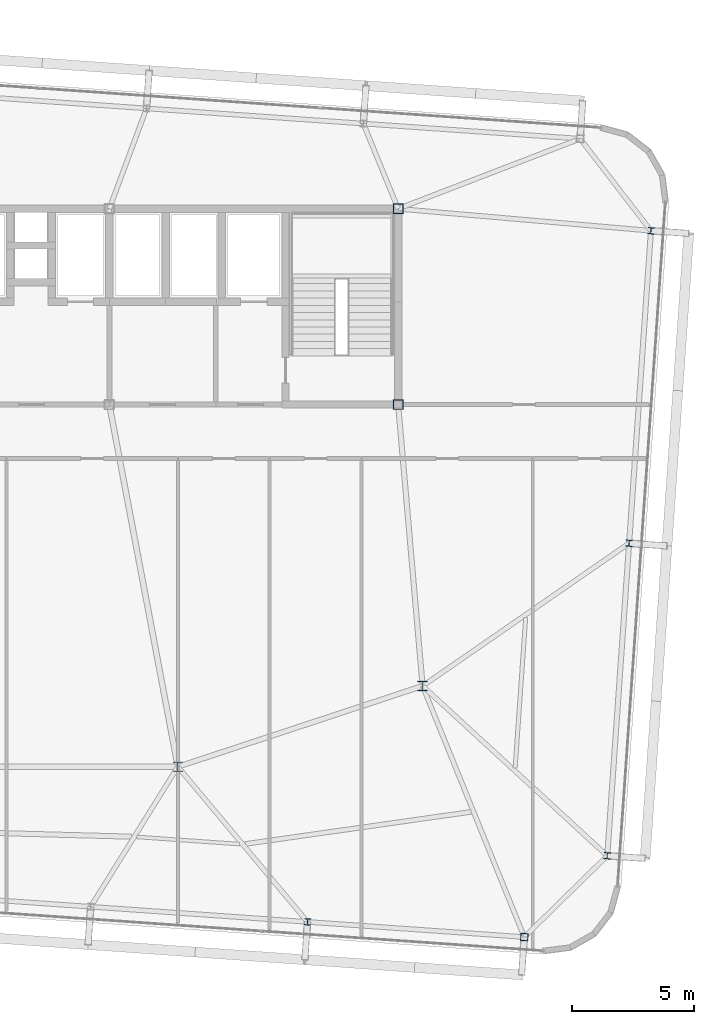
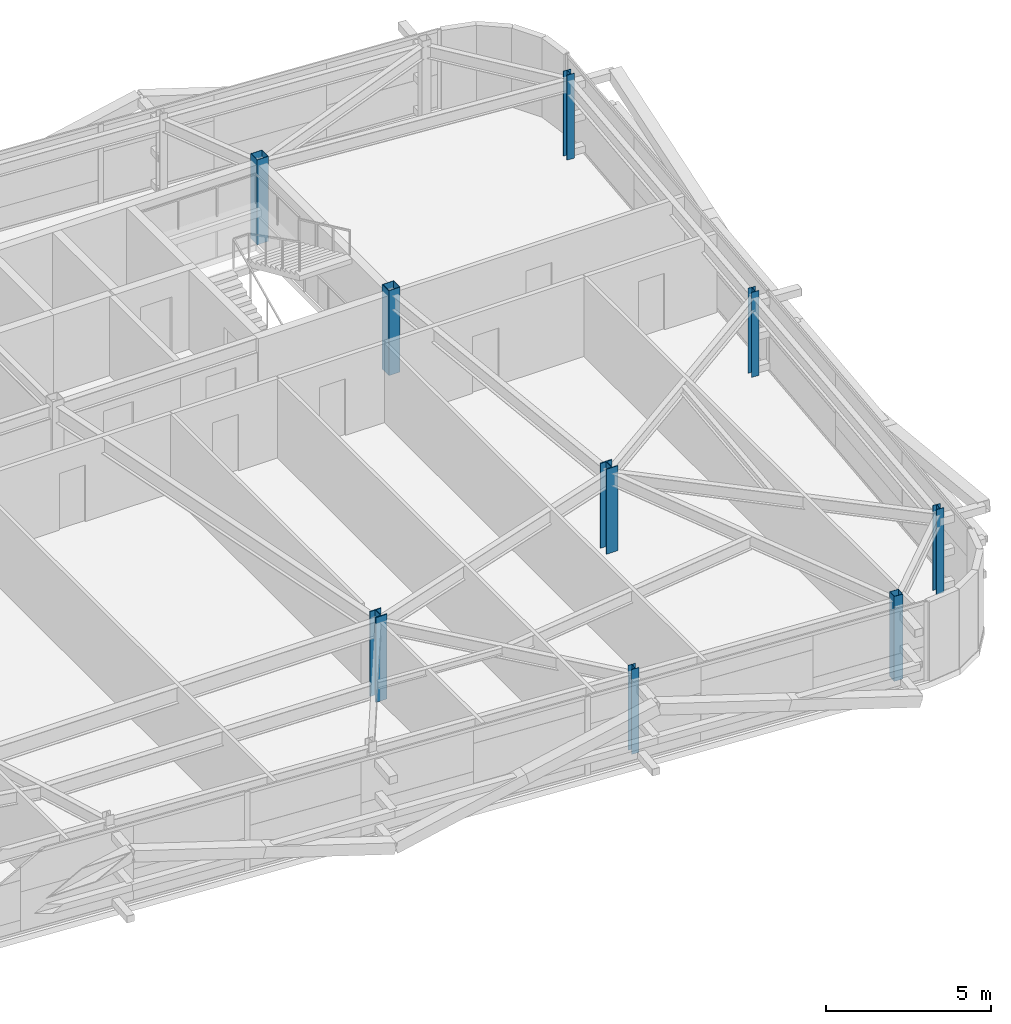
# One storey, part 3 of 39: 9 columns.
"""IFC4 building model written with IfcOpenShell, lengths in metres."""

from ifc_helpers import new_model, si_unit, direction, frame, origin, origin_2d, place, context, subcontext, project, spatial, hollow_rectangle, i_section, extrude, source, transform, mapped, material, material_profile, profile_set, type_object, element, save


model = new_model("IFC4")

# Units and contexts
model_context = context("Model", 3, precision=1e-05, world=origin(), true_north=direction((0.0, 1.0)))
body_context = subcontext(model_context, "Body", "Model", "MODEL_VIEW")
ifc_project = project(units=[si_unit("LENGTHUNIT", "METRE"), si_unit("AREAUNIT", "SQUARE_METRE"), si_unit("VOLUMEUNIT", "CUBIC_METRE"), si_unit("PLANEANGLEUNIT", "RADIAN"), si_unit("MASSUNIT", "GRAM", prefix="KILO")], contexts=[model_context])

# Site, building, storey
site_placement = place(None, origin())
site = spatial("IfcSite", under=ifc_project, at=site_placement, CompositionType="ELEMENT")
building_placement = place(site_placement, origin())
building = spatial("IfcBuilding", under=site, at=building_placement, Name="Taldren Reach Tower", CompositionType="ELEMENT")
storey_placement = place(building_placement, frame((0.0, 0.0, 155.050048828125)))
storey = spatial("IfcBuildingStorey", under=building, at=storey_placement, Name="L47", CompositionType="ELEMENT", Elevation=155.050048828125)

# Columns
ifc_material_1 = material(Name="Steel Gr 350 (350PLUS)", Category="steel")
ifc_material_profile_1 = material_profile(ifc_material_1, i_section(OverallWidth=0.39990234375, OverallDepth=0.39599609375, WebThickness=0.02197265625, FlangeThickness=0.033935546875, at=origin_2d()), Name="400WC270")
ifc_profile_set_1 = profile_set([ifc_material_profile_1], Name="Steel Gr 350 (350PLUS)")
column_type_1 = type_object("IfcColumnType", Name="COL-WC400", PredefinedType="COLUMN", material=ifc_profile_set_1)
shared_shape_1 = source(origin(), body_context, "Body", "SweptSolid", [
    extrude(i_section(OverallWidth=0.39990234375, OverallDepth=0.39599609375, WebThickness=0.02197265625, FlangeThickness=0.033935546875, at=origin_2d()), origin(), (0.0, 0.0, 1.0), 3.14990234375),
])
for number, where, z_axis, x_axis, name in (
    (1, (42.0, 9.199951171875, 0.0), (0.0, 0.0, 1.0), (1.0, 0.0, 0.0), "Mega column MC-PJE L47"),
    (2, (52.0, 12.5, 0.0), (0.0, 0.0, 1.0), (1.0, 0.0, 0.0), "Mega column MC-SE L47"),
):
    element("IfcColumn", number, at=place(storey_placement, frame(where, z_axis=z_axis, x_axis=x_axis)), inside=storey, type_object=column_type_1, Name=name, PredefinedType="COLUMN", context=body_context, shape_type="MappedRepresentation", body=[
        mapped(shared_shape_1, transform((0.0, 0.0, 0.0), scale=1.0)),
    ])
ifc_material_2 = material(Name="Steel Gr 450 (C450L0)", Category="steel")
ifc_material_profile_2 = material_profile(ifc_material_2, hollow_rectangle(XDim=0.39990234375, YDim=0.39990234375, WallThickness=0.01611328125, at=origin_2d()), Name="400x400x16.0SHS")
ifc_profile_set_2 = profile_set([ifc_material_profile_2], Name="Steel Gr 450 (C450L0)")
column_type_2 = type_object("IfcColumnType", Name="COL-SHS400", PredefinedType="COLUMN", material=ifc_profile_set_2)
shared_shape_2 = source(origin(), body_context, "Body", "SweptSolid", [
    extrude(hollow_rectangle(XDim=0.39990234375, YDim=0.39990234375, WallThickness=0.01611328125, at=origin_2d()), origin(), (0.0, 0.0, 1.0), 3.14990234375),
])
for number, where, z_axis, x_axis, name in (
    (3, (51.0, 24.0, 0.0), (0.0, 0.0, 1.0), (1.0, 0.0, 0.0), "Mega column MC-C4 L47"),
    (4, (51.0, 32.0, 0.0), (0.0, 0.0, 1.0), (1.0, 0.0, 0.0), "Mega column MC-C8 L47"),
):
    element("IfcColumn", number, at=place(storey_placement, frame(where, z_axis=z_axis, x_axis=x_axis)), inside=storey, type_object=column_type_2, Name=name, PredefinedType="COLUMN", context=body_context, shape_type="MappedRepresentation", body=[
        mapped(shared_shape_2, transform((0.0, 0.0, 0.0), scale=1.0)),
    ])
ifc_material_profile_3 = material_profile(ifc_material_2, hollow_rectangle(XDim=0.300048828125, YDim=0.300048828125, WallThickness=0.012451171875, at=origin_2d()), Name="300x300x12.5SHS")
ifc_profile_set_3 = profile_set([ifc_material_profile_3], Name="Steel Gr 450 (C450L0)")
column_type_3 = type_object("IfcColumnType", Name="COL-SHS300", PredefinedType="COLUMN", material=ifc_profile_set_3)
shared_shape_3 = source(origin(), body_context, "Body", "SweptSolid", [
    extrude(hollow_rectangle(XDim=0.300048828125, YDim=0.300048828125, WallThickness=0.012451171875, at=origin_2d()), origin(), (0.0, 0.0, 1.0), 3.14990234375),
])
column_placement = place(storey_placement, frame((56.155517578125, 2.2412109375, 0.0), z_axis=(0.0, 0.0, 1.0), x_axis=(0.99756405026, -0.069756473744, 0.0)))
element("IfcColumn", 5, at=column_placement, inside=storey, type_object=column_type_3, Name="Block B3 perimeter column S6 L47", PredefinedType="COLUMN", context=body_context, shape_type="MappedRepresentation", body=[
    mapped(shared_shape_3, transform((0.0, 0.0, 0.0), scale=1.0)),
])
ifc_material_profile_4 = material_profile(ifc_material_1, i_section(OverallWidth=0.256103515625, OverallDepth=0.260009765625, WebThickness=0.010498046875, FlangeThickness=0.017333984375, at=origin_2d()), Name="250UC89.5")
ifc_profile_set_4 = profile_set([ifc_material_profile_4], Name="Steel Gr 350 (350PLUS)")
column_type_4 = type_object("IfcColumnType", Name="COL-UC250", PredefinedType="COLUMN", material=ifc_profile_set_4)
shared_shape_4 = source(origin(), body_context, "Body", "SweptSolid", [
    extrude(i_section(OverallWidth=0.256103515625, OverallDepth=0.260009765625, WebThickness=0.010498046875, FlangeThickness=0.017333984375, at=origin_2d()), origin(), (0.0, 0.0, 1.0), 3.14990234375),
])
for number, where, z_axis, x_axis, name in (
    (6, (47.297119140625, 2.860595703125, 0.0), (0.0, 0.0, 1.0), (0.99756405026, -0.069756473744, 0.0), "Block B3 perimeter column S5 L47"),
    (7, (59.54541015625, 5.562744140625, 0.0), (0.0, 0.0, 1.0), (0.99756405026, -0.069756473744, 0.0), "Block B3 perimeter column E1 L47"),
    (8, (60.438232421875, 18.331787109375, 0.0), (0.0, 0.0, 1.0), (0.99756405026, -0.069756473744, 0.0), "Block B3 perimeter column E2 L47"),
    (9, (61.3310546875, 31.1005859375, 0.0), (0.0, 0.0, 1.0), (0.99756405026, -0.069756473744, 0.0), "Block B3 perimeter column E3 L47"),
):
    element("IfcColumn", number, at=place(storey_placement, frame(where, z_axis=z_axis, x_axis=x_axis)), inside=storey, type_object=column_type_4, Name=name, PredefinedType="COLUMN", context=body_context, shape_type="MappedRepresentation", body=[
        mapped(shared_shape_4, transform((0.0, 0.0, 0.0), scale=1.0)),
    ])

save(model, "model.ifc")
